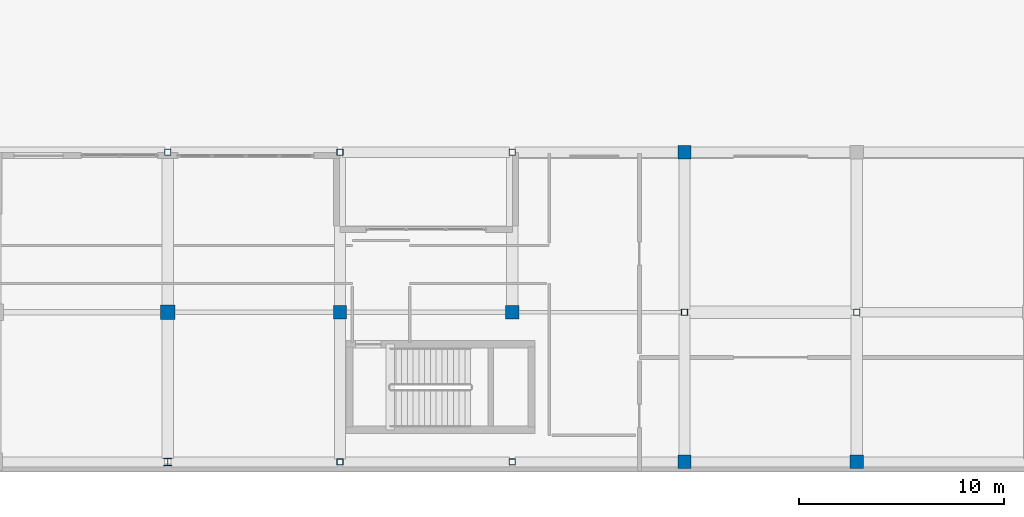
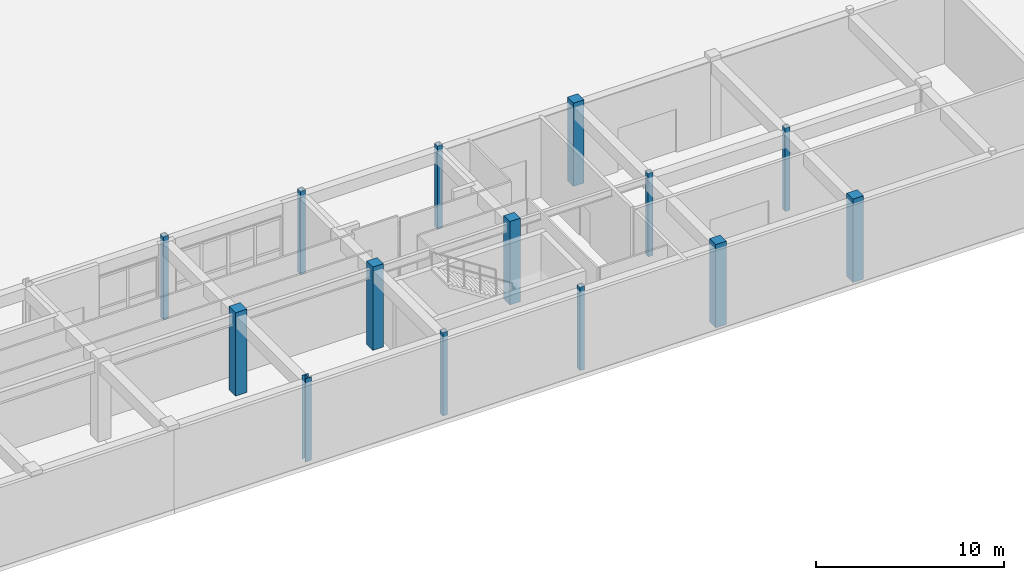
# One storey, part 4 of 148: 14 columns.
"""IFC4 building model written with IfcOpenShell, lengths in metres."""

from ifc_helpers import new_model, si_unit, direction, frame, origin, origin_2d, place, context, subcontext, project, spatial, rectangle, hollow_rectangle, i_section, extrude, material, material_profile, profile_set, type_object, element, save


model = new_model("IFC4")

# Units and contexts
model_context = context("Model", 3, precision=1e-05, world=origin(), true_north=direction((0.0, 1.0)))
body_context = subcontext(model_context, "Body", "Model", "MODEL_VIEW")
ifc_project = project(units=[si_unit("LENGTHUNIT", "METRE"), si_unit("AREAUNIT", "SQUARE_METRE"), si_unit("VOLUMEUNIT", "CUBIC_METRE"), si_unit("PLANEANGLEUNIT", "RADIAN"), si_unit("MASSUNIT", "GRAM", prefix="KILO")], contexts=[model_context])

# Site, building, storey
site_placement = place(None, origin())
site = spatial("IfcSite", under=ifc_project, at=site_placement, CompositionType="ELEMENT")
building_placement = place(site_placement, origin())
building = spatial("IfcBuilding", under=site, at=building_placement, Name="Quendrovan Civic Courthouse", CompositionType="ELEMENT")
storey_placement = place(building_placement, origin())
storey = spatial("IfcBuildingStorey", under=building, at=storey_placement, Name="L01", CompositionType="ELEMENT", Elevation=0.0)

# Columns
ifc_material_1 = material(Name="Concrete C45/55", Category="concrete")
ifc_material_profile_1 = material_profile(ifc_material_1, rectangle(XDim=0.64990234375, YDim=0.64990234375, at=origin_2d()), Name="RC-COL-650x650")
ifc_profile_set_1 = profile_set([ifc_material_profile_1], Name="Concrete C45/55")
column_type_1 = type_object("IfcColumnType", Name="COL-RC650", PredefinedType="COLUMN", material=ifc_profile_set_1)
for number, where, z_axis, x_axis, name in (
    (1, (75.60009765625, 7.800048828125, 0.0), (0.0, 0.0, 1.0), (1.0, 0.0, 0.0), "L01 Column 10-B"),
    (2, (84.0, 7.800048828125, 0.0), (0.0, 0.0, 1.0), (1.0, 0.0, 0.0), "L01 Column 11-B"),
    (3, (92.39990234375, 0.5, 0.0), (0.0, 0.0, 1.0), (1.0, 0.0, 0.0), "L01 Column 12-A"),
    (4, (92.39990234375, 15.60009765625, 0.0), (0.0, 0.0, 1.0), (1.0, 0.0, 0.0), "L01 Column 12-C"),
    (5, (100.800048828125, 0.5, 0.0), (0.0, 0.0, 1.0), (1.0, 0.0, 0.0), "L01 Column 13-A"),
):
    element("IfcColumn", number, at=place(storey_placement, frame(where, z_axis=z_axis, x_axis=x_axis)), inside=storey, type_object=column_type_1, Name=name, PredefinedType="COLUMN", context=body_context, shape_type="SweptSolid", body=[
        extrude(rectangle(XDim=0.64990234375, YDim=0.64990234375, at=origin_2d()), origin(), (0.0, 0.0, 1.0), 5.39990234375),
    ])
ifc_material_profile_2 = material_profile(ifc_material_1, rectangle(XDim=0.699951171875, YDim=0.699951171875, at=origin_2d()), Name="RC-COL-700x700")
ifc_profile_set_2 = profile_set([ifc_material_profile_2], Name="Concrete C45/55")
column_type_2 = type_object("IfcColumnType", Name="COL-RC700", PredefinedType="COLUMN", material=ifc_profile_set_2)
column_1_placement = place(storey_placement, frame((67.199951171875, 7.800048828125, 0.0), z_axis=(0.0, 0.0, 1.0), x_axis=(1.0, 0.0, 0.0)))
element("IfcColumn", 6, at=column_1_placement, inside=storey, type_object=column_type_2, Name="L01 Column 9-B", PredefinedType="COLUMN", context=body_context, shape_type="SweptSolid", body=[
    extrude(rectangle(XDim=0.699951171875, YDim=0.699951171875, at=origin_2d()), origin(), (0.0, 0.0, 1.0), 5.39990234375),
])
ifc_material_2 = material(Name="Steel ASTM A500 Grade C", Category="steel")
ifc_material_profile_3 = material_profile(ifc_material_2, hollow_rectangle(XDim=0.300048828125, YDim=0.300048828125, WallThickness=0.011962890625, at=origin_2d()), Name="HSS300x300x12")
ifc_profile_set_3 = profile_set([ifc_material_profile_3], Name="Steel ASTM A500 Grade C")
column_type_3 = type_object("IfcColumnType", Name="COL-STL-HSS300S", PredefinedType="COLUMN", material=ifc_profile_set_3)
for number, where, z_axis, x_axis, name in (
    (7, (67.199951171875, 15.60009765625, 0.0), (0.0, 0.0, 1.0), (1.0, 0.0, 0.0), "L01 Column 9-C"),
    (8, (75.60009765625, 0.5, 0.0), (0.0, 0.0, 1.0), (1.0, 0.0, 0.0), "L01 Column 10-A"),
    (9, (75.60009765625, 15.60009765625, 0.0), (0.0, 0.0, 1.0), (1.0, 0.0, 0.0), "L01 Column 10-C"),
    (10, (84.0, 0.5, 0.0), (0.0, 0.0, 1.0), (1.0, 0.0, 0.0), "L01 Column 11-A"),
    (11, (84.0, 15.60009765625, 0.0), (0.0, 0.0, 1.0), (1.0, 0.0, 0.0), "L01 Column 11-C"),
    (12, (92.39990234375, 7.800048828125, 0.0), (0.0, 0.0, 1.0), (1.0, 0.0, 0.0), "L01 Column 12-B"),
    (13, (100.800048828125, 7.800048828125, 0.0), (0.0, 0.0, 1.0), (1.0, 0.0, 0.0), "L01 Column 13-B"),
):
    element("IfcColumn", number, at=place(storey_placement, frame(where, z_axis=z_axis, x_axis=x_axis)), inside=storey, type_object=column_type_3, Name=name, PredefinedType="COLUMN", context=body_context, shape_type="SweptSolid", body=[
        extrude(hollow_rectangle(XDim=0.300048828125, YDim=0.300048828125, WallThickness=0.011962890625, at=origin_2d()), origin(), (0.0, 0.0, 1.0), 5.39990234375),
    ])
ifc_material_3 = material(Name="Steel ASTM A992 Grade 50", Category="steel")
ifc_material_profile_4 = material_profile(ifc_material_3, i_section(OverallWidth=0.3740234375, OverallDepth=0.3720703125, WebThickness=0.016357421875, FlangeThickness=0.026123046875, at=origin_2d()), Name="W14X132")
ifc_profile_set_4 = profile_set([ifc_material_profile_4], Name="Steel ASTM A992 Grade 50")
column_type_4 = type_object("IfcColumnType", Name="COL-STL-W14X132", PredefinedType="COLUMN", material=ifc_profile_set_4)
column_2_placement = place(storey_placement, frame((67.199951171875, 0.5, 0.0), z_axis=(0.0, 0.0, 1.0), x_axis=(1.0, 0.0, 0.0)))
element("IfcColumn", 14, at=column_2_placement, inside=storey, type_object=column_type_4, Name="L01 Column 9-A", PredefinedType="COLUMN", context=body_context, shape_type="SweptSolid", body=[
    extrude(i_section(OverallWidth=0.3740234375, OverallDepth=0.3720703125, WebThickness=0.016357421875, FlangeThickness=0.026123046875, at=origin_2d()), origin(), (0.0, 0.0, 1.0), 5.39990234375),
])

save(model, "model.ifc")
